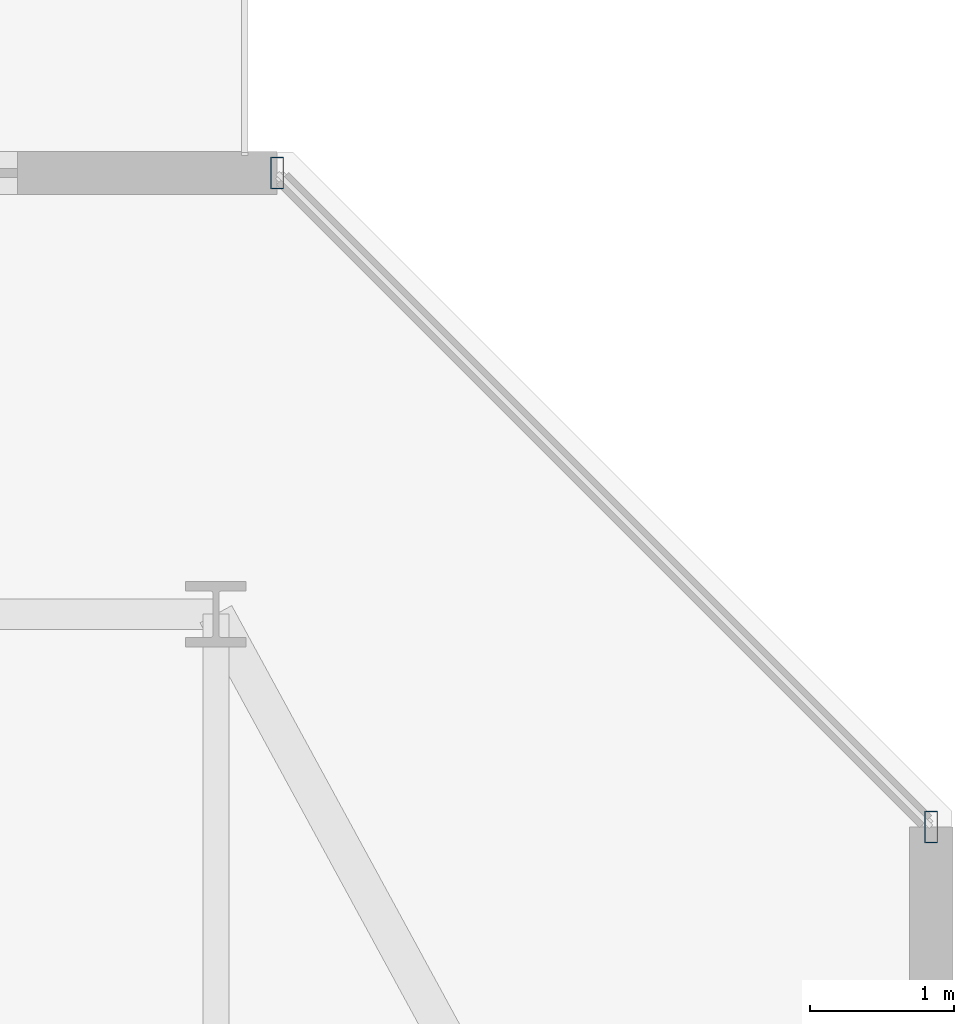
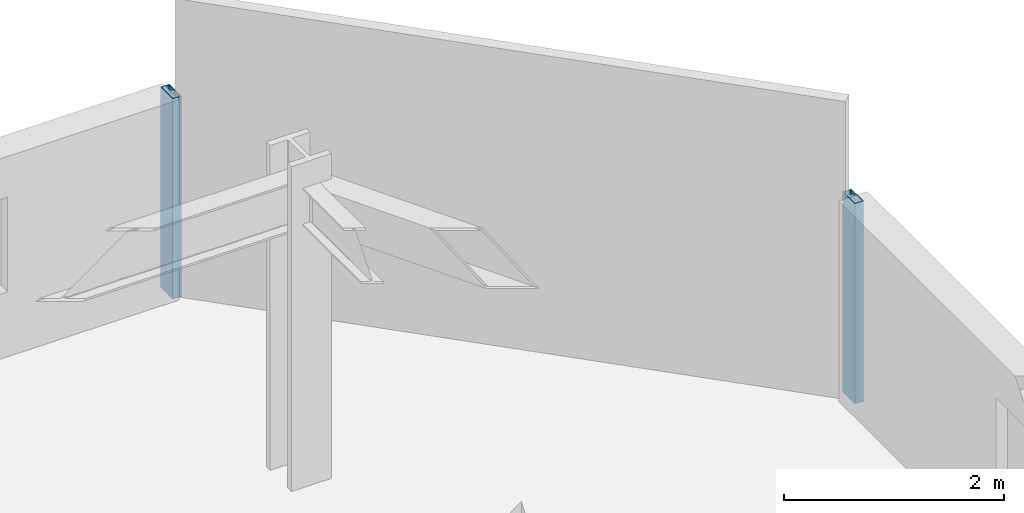
# One storey, part 15 of 36: 2 members, 1 element without a shape of its own.
"""IFC4 building model written with IfcOpenShell, lengths in metres."""

import ifcopenshell
import ifcopenshell.guid

model = None  # the IFC model being written
_history = None  # IfcOwnerHistory: only IFC2X3 demands one
_inside = {}  # id of a spatial element -> (the spatial element, [elements in it])
_under = {}  # id of a project, library or spatial element -> (it, [spatial elements below it])
_declared = {}  # id of a project -> (the project, [libraries it declares])
_typed = {}  # id of a type object -> (the type object, [elements of that type])
_made_of = {}  # id of a material, layer set ... -> (it, [elements and type objects made of it])


def new_model(schema):
    """Start an empty IFC model of exactly this schema.

    Asked for "IFC4X3", IfcOpenShell would pick the latest addendum, in which some entities
    have other attributes; the version numbers below select the first issue.
    IFC2X3 requires an IfcOwnerHistory on every rooted entity: one is made here for all.
    """
    global model, _history
    if schema == "IFC4X3":
        model = ifcopenshell.file(schema_version=(4, 3, 0, 0))
    else:
        model = ifcopenshell.file(schema=schema)
    _inside.clear()
    _under.clear()
    _declared.clear()
    _typed.clear()
    _made_of.clear()
    _history = None
    if model.schema == "IFC2X3":
        org = make("IfcOrganization", Name="unknown")
        user = make(
            "IfcPersonAndOrganization",
            ThePerson=make("IfcPerson", FamilyName="unknown"),
            TheOrganization=org,
        )
        app = make(
            "IfcApplication",
            ApplicationDeveloper=org,
            Version="unknown",
            ApplicationFullName="unknown",
            ApplicationIdentifier="unknown",
        )
        _history = make(
            "IfcOwnerHistory",
            OwningUser=user,
            OwningApplication=app,
            ChangeAction="ADDED",
            CreationDate=0,
        )
    return model


def make(cls, **values):
    """One entity of the class cls with the attributes given. An attribute that is None is left unset."""
    return model.create_entity(
        cls, **{name: value for name, value in values.items() if value is not None}
    )


def rooted(cls, **values):
    """An entity with a GlobalId (a new one), such as an element, a storey or a relation."""
    return make(cls, GlobalId=ifcopenshell.guid.new(), OwnerHistory=_history, **values)


def si_unit(unit_type, name, prefix=None):
    """IfcSIUnit, for example si_unit("LENGTHUNIT", "METRE", prefix="MILLI")."""
    return make("IfcSIUnit", UnitType=unit_type, Prefix=prefix, Name=name)


def assignment(units):
    """IfcUnitAssignment: the units of a project."""
    return None if units is None else make("IfcUnitAssignment", Units=units)


def point(xyz):
    """IfcCartesianPoint."""
    return None if xyz is None else make("IfcCartesianPoint", Coordinates=xyz)


def direction(xyz):
    """IfcDirection."""
    return None if xyz is None else make("IfcDirection", DirectionRatios=xyz)


def frame(location, z_axis=None, x_axis=None):
    """IfcAxis2Placement3D, a coordinate frame: its origin and axes. An axis left out is left unset."""
    return make(
        "IfcAxis2Placement3D",
        Location=point(location),
        Axis=direction(z_axis),
        RefDirection=direction(x_axis),
    )


def frame_2d(location, x_axis=None):
    """IfcAxis2Placement2D, a coordinate frame in the plane: its origin and x axis."""
    return make(
        "IfcAxis2Placement2D", Location=point(location), RefDirection=direction(x_axis)
    )


def origin():
    """The frame at (0, 0, 0) with its axes left unset."""
    return frame((0.0, 0.0, 0.0))


def origin_2d():
    """The frame at (0, 0) in the plane with its x axis left unset."""
    return frame_2d((0.0, 0.0))


def place(relative_to, where):
    """IfcLocalPlacement: puts the frame where relative to a parent placement (None: the world)."""
    return make(
        "IfcLocalPlacement", PlacementRelTo=relative_to, RelativePlacement=where
    )


def context(
    kind, dimensions, precision=None, world=None, true_north=None, identifier=None
):
    """IfcGeometricRepresentationContext, for example the 3D "Model" context."""
    return make(
        "IfcGeometricRepresentationContext",
        ContextIdentifier=identifier,
        ContextType=kind,
        CoordinateSpaceDimension=dimensions,
        Precision=precision,
        WorldCoordinateSystem=world,
        TrueNorth=true_north,
    )


def subcontext(parent, identifier, kind, view, scale=None):
    """IfcGeometricRepresentationSubContext, for example "Body" below "Model"."""
    return make(
        "IfcGeometricRepresentationSubContext",
        ContextIdentifier=identifier,
        ContextType=kind,
        ParentContext=parent,
        TargetScale=scale,
        TargetView=view,
    )


def project(units=None, contexts=None):
    """IfcProject with its units and contexts."""
    return rooted(
        "IfcProject",
        Name="project",
        RepresentationContexts=contexts,
        UnitsInContext=assignment(units),
    )


def spatial(cls, under=None, at=None, **own):
    """A site, building, storey or space (cls), placed at a placement, below another one or the project."""
    s = rooted(cls, ObjectPlacement=at, **own)
    if under is not None:
        _under.setdefault(under.id(), (under, []))[1].append(s)
    return s


def profile(cls, at=None, kind="AREA", **sizes):
    """A parametric profile (cls). Its sizes go by their IFC names, for example OverallWidth=200.0."""
    return make(cls, ProfileType=kind, Position=at, **sizes)


def hollow_rectangle(**sizes):
    """IfcRectangleHollowProfileDef."""
    return profile("IfcRectangleHollowProfileDef", **sizes)


def extrude(swept, where, along, depth):
    """IfcExtrudedAreaSolid: the profile swept, set in the frame where, extruded along a direction by depth."""
    return make(
        "IfcExtrudedAreaSolid",
        SweptArea=swept,
        Position=where,
        ExtrudedDirection=direction(along),
        Depth=depth,
    )


def shape(context_of_items, identifier, shape_type, items):
    """IfcShapeRepresentation: the items that make up one representation, for example the "Body"."""
    return make(
        "IfcShapeRepresentation",
        ContextOfItems=context_of_items,
        RepresentationIdentifier=identifier,
        RepresentationType=shape_type,
        Items=items,
    )


def material(Name=None, Category=None):
    """IfcMaterial."""
    return make("IfcMaterial", Name=Name, Category=Category)


def material_profile(
    of_material, cross_section, Name=None, Category=None, Priority=None
):
    """IfcMaterialProfile: a cross section and its material."""
    return make(
        "IfcMaterialProfile",
        Name=Name,
        Material=of_material,
        Profile=cross_section,
        Priority=Priority,
        Category=Category,
    )


def profile_set(profiles, Name=None, composite=None):
    """IfcMaterialProfileSet."""
    return make(
        "IfcMaterialProfileSet",
        Name=Name,
        MaterialProfiles=profiles,
        CompositeProfile=composite,
    )


def made_of(thing, what):
    """Note that an element or type object is made of a material, layer set ...; save() writes the relation."""
    if what is not None:
        _made_of.setdefault(what.id(), (what, []))[1].append(thing)
    return thing


def type_object(cls, material=None, **own):
    """A type object (cls), such as IfcWallType, which elements share."""
    return made_of(rooted(cls, **own), material)


def element(
    cls,
    number,
    at=None,
    inside=None,
    cuts=None,
    type_object=None,
    material=None,
    context=None,
    identifier="Body",
    shape_type=None,
    held_by="IfcProductDefinitionShape",
    body=None,
    shapes=None,
    **own,
):
    """One element of the class cls, such as IfcWall. Its Tag is "e" and its number.

    at: its placement. inside: the storey or other place that contains it. cuts: it is an
    opening in that element (IfcRelVoidsElement). A single representation is given by context,
    identifier, shape_type and body (its items); several are given by shapes. held_by: the class
    of the entity that holds the representations. save() writes the other relations.
    """
    e = rooted(cls, Tag="e%d" % number, ObjectPlacement=at, **own)
    if body is not None:
        shapes = [shape(context, identifier, shape_type, body)]
    if shapes is not None:
        e.Representation = make(held_by, Representations=shapes)
    if inside is not None:
        _inside.setdefault(inside.id(), (inside, []))[1].append(e)
    if cuts is not None:
        rooted(
            "IfcRelVoidsElement", RelatingBuildingElement=cuts, RelatedOpeningElement=e
        )
    if type_object is not None:
        _typed.setdefault(type_object.id(), (type_object, []))[1].append(e)
    return made_of(e, material)


def aggregate(whole, parts):
    """IfcRelAggregates: a whole, such as a stair, and the parts it consists of."""
    return rooted("IfcRelAggregates", RelatingObject=whole, RelatedObjects=parts)


def save(model, path):
    """Write the relations noted so far, then the file.

    IfcRelAggregates (storeys below a building ...), IfcRelContainedInSpatialStructure (elements
    in a storey), IfcRelDefinesByType, IfcRelAssociatesMaterial and IfcRelDeclares: one each for
    every whole, place, type object, material and project.
    """
    for whole, parts in _under.values():
        aggregate(whole, parts)
    for where, things in _inside.values():
        rooted(
            "IfcRelContainedInSpatialStructure",
            RelatedElements=things,
            RelatingStructure=where,
        )
    for kind, things in _typed.values():
        rooted("IfcRelDefinesByType", RelatedObjects=things, RelatingType=kind)
    for what, things in _made_of.values():
        rooted("IfcRelAssociatesMaterial", RelatedObjects=things, RelatingMaterial=what)
    for by, libraries in _declared.values():
        rooted("IfcRelDeclares", RelatingContext=by, RelatedDefinitions=libraries)
    model.write(path)


model = new_model("IFC4")

# Units and contexts
model_context = context("Model", 3, precision=1e-05, world=origin(), true_north=direction((0.0, 1.0)))
body_context = subcontext(model_context, "Body", "Model", "MODEL_VIEW")
ifc_project = project(units=[si_unit("LENGTHUNIT", "METRE"), si_unit("AREAUNIT", "SQUARE_METRE"), si_unit("VOLUMEUNIT", "CUBIC_METRE"), si_unit("PLANEANGLEUNIT", "RADIAN"), si_unit("MASSUNIT", "GRAM", prefix="KILO")], contexts=[model_context])

# Site, building, storey
site_placement = place(None, origin())
site = spatial("IfcSite", under=ifc_project, at=site_placement, CompositionType="ELEMENT")
building_placement = place(site_placement, origin())
building = spatial("IfcBuilding", under=site, at=building_placement, Name="Thornwick Lancets Civic Towers", CompositionType="ELEMENT")
storey_placement = place(building_placement, frame((0.0, 0.0, 94.5)))
storey = spatial("IfcBuildingStorey", under=building, at=storey_placement, Name="L24", CompositionType="ELEMENT", Elevation=94.5)

# Curtain wall, members
ifc_material_1 = material(Name="Low-zone chamfered-corner unitised glass curtain wall", Category="glass")
curtain_wall_type = type_object("IfcCurtainWallType", Name="CW_SYS_03", PredefinedType="NOTDEFINED", material=ifc_material_1)
curtain_wall_placement = place(storey_placement, origin())
curtain_wall = element("IfcCurtainWall", 1, at=curtain_wall_placement, inside=storey, type_object=curtain_wall_type, Name="L24 Curtain Wall CW-L24-B-E3", PredefinedType="NOTDEFINED")
ifc_material_2 = material(Name="Thermally broken bronze aluminium S355", Category="steel")
ifc_material_profile = material_profile(ifc_material_2, hollow_rectangle(XDim=0.090087890625, YDim=0.219970703125, WallThickness=0.00634765625, at=origin_2d()), Name="RHS 220x90x6.3")
ifc_profile_set = profile_set([ifc_material_profile], Name="Thermally broken bronze aluminium S355")
member_type = type_object("IfcMemberType", Name="CW_MUL_220", PredefinedType="MULLION", material=ifc_profile_set)
member_1_placement = place(storey_placement, frame((106.458251953125, 46.425048828125, 0.0), z_axis=(0.0, 0.0, 1.0), x_axis=(1.0, 0.0, 0.0)))
member_1 = element("IfcMember", 2, at=member_1_placement, type_object=member_type, Name="CW-L24-B-E3 Mullion 0", PredefinedType="MULLION", context=body_context, shape_type="SweptSolid", body=[
    extrude(hollow_rectangle(XDim=0.090087890625, YDim=0.219970703125, WallThickness=0.00634765625, at=origin_2d()), origin(), (0.0, 0.0, 1.0), 2.219970703125),
])
member_2_placement = place(storey_placement, frame((101.925048828125, 50.958251953125, 0.0), z_axis=(0.0, 0.0, 1.0), x_axis=(1.0, 0.0, 0.0)))
member_2 = element("IfcMember", 3, at=member_2_placement, type_object=member_type, Name="CW-L24-B-E3 Mullion 1", PredefinedType="MULLION", context=body_context, shape_type="SweptSolid", body=[
    extrude(hollow_rectangle(XDim=0.090087890625, YDim=0.219970703125, WallThickness=0.00634765625, at=origin_2d()), origin(), (0.0, 0.0, 1.0), 2.219970703125),
])
aggregate(curtain_wall, [member_1, member_2])

save(model, "model.ifc")
